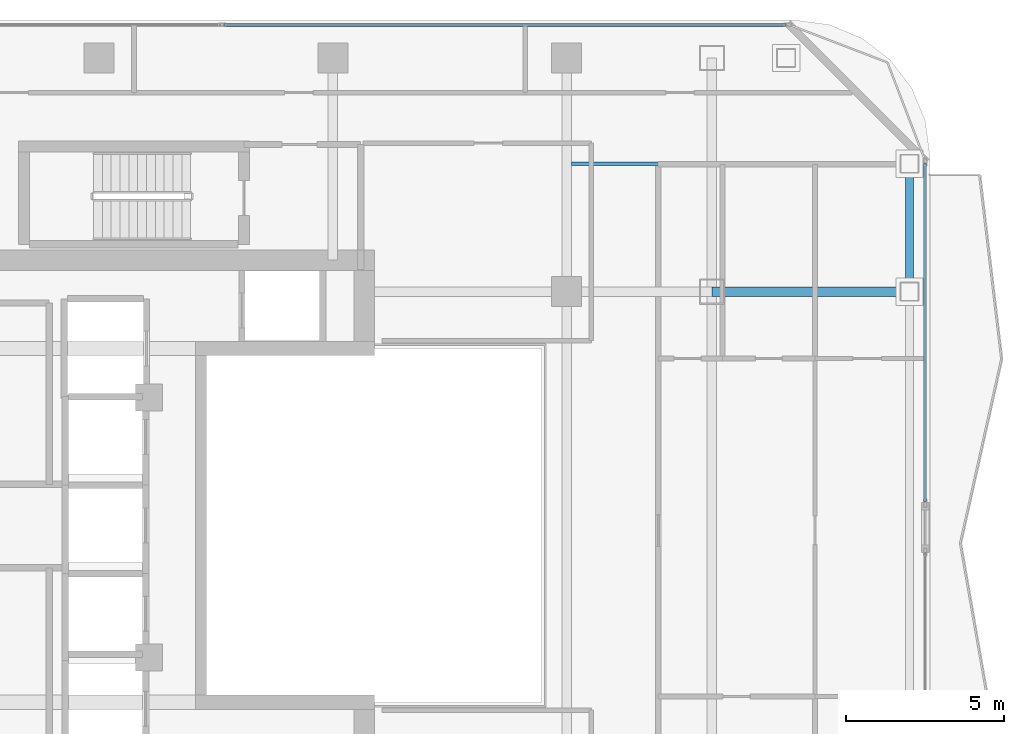
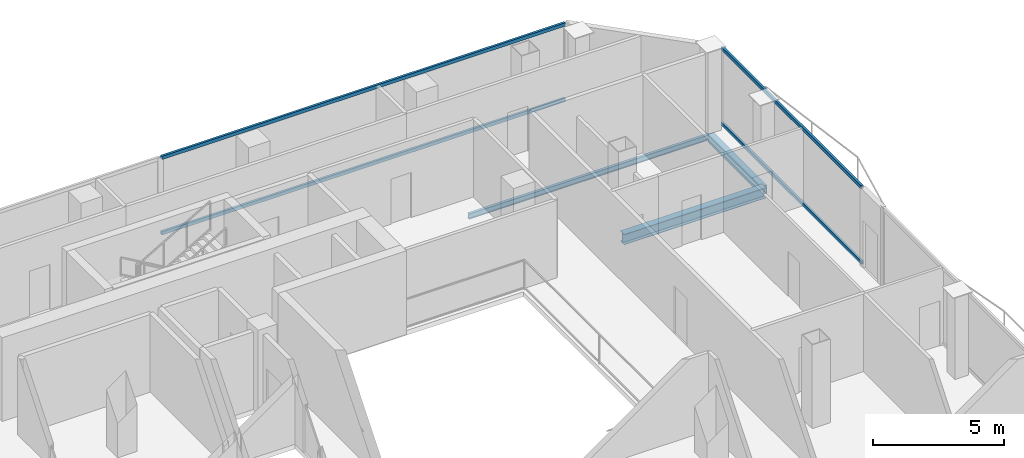
# One storey, part 17 of 26: 4 members, 3 beams, 2 elements without a shape of their own.
"""IFC4 building model written with IfcOpenShell, lengths in metres."""

from ifc_helpers import new_model, si_unit, direction, frame, origin, origin_2d, place, context, subcontext, project, spatial, hollow_rectangle, i_section, extrude, material, layer, layer_set, material_profile, profile_set, type_object, element, aggregate, save


model = new_model("IFC4")

# Units and contexts
model_context = context("Model", 3, precision=1e-05, world=origin(), true_north=direction((0.0, 1.0)))
body_context = subcontext(model_context, "Body", "Model", "MODEL_VIEW")
ifc_project = project(units=[si_unit("LENGTHUNIT", "METRE"), si_unit("AREAUNIT", "SQUARE_METRE"), si_unit("VOLUMEUNIT", "CUBIC_METRE"), si_unit("PLANEANGLEUNIT", "RADIAN"), si_unit("MASSUNIT", "GRAM", prefix="KILO")], contexts=[model_context])

# Site, building, storey
site_placement = place(None, origin())
site = spatial("IfcSite", under=ifc_project, at=site_placement, CompositionType="ELEMENT")
building_placement = place(site_placement, origin())
building = spatial("IfcBuilding", under=site, at=building_placement, Name="Khorvyn Point Tower", CompositionType="ELEMENT")
storey_placement = place(building_placement, frame((0.0, 0.0, 250.800048828125)))
storey = spatial("IfcBuildingStorey", under=building, at=storey_placement, Name="L61", CompositionType="ELEMENT", Elevation=250.800048828125)

# Curtain wall, members
ifc_material_1 = material(Name="Anodised aluminium 6063-T6 and laminated Low-E glass", Category="aluminium")
ifc_layer = layer(ifc_material_1, 0.18994140625)
ifc_layer_set = layer_set([ifc_layer], Name="Stick-Built Acoustic Curtain Wall CW-SYS-03")
curtain_wall_type = type_object("IfcCurtainWallType", Name="Stick-Built Acoustic Curtain Wall CW-SYS-03", PredefinedType="NOTDEFINED", material=ifc_layer_set)
curtain_wall_1_placement = place(storey_placement, origin())
curtain_wall_1 = element("IfcCurtainWall", 1, at=curtain_wall_1_placement, inside=storey, type_object=curtain_wall_type, Name="Curtain Wall", PredefinedType="NOTDEFINED")
ifc_material_2 = material(Name="Anodised aluminium 6063-T6", Category="aluminium")
ifc_material_profile_1 = material_profile(ifc_material_2, hollow_rectangle(XDim=0.10009765625, YDim=0.159912109375, WallThickness=0.00439453125, at=origin_2d()))
ifc_profile_set_1 = profile_set([ifc_material_profile_1], Name="Anodised aluminium 6063-T6 ALU-TRN-100x160")
member_type = type_object("IfcMemberType", Name="Anodised Aluminium 6063-T6 Transom ALU-TRN-100x160", PredefinedType="USERDEFINED", material=ifc_profile_set_1)
member_1_placement = place(storey_placement, frame((3.949951171875, 15.85009765625, 0.050048828125), z_axis=(1.0, 0.0, 0.0), x_axis=(0.0, 1.0, 0.0)))
member_1 = element("IfcMember", 2, at=member_1_placement, type_object=member_type, Name="Transom", ObjectType="TRANSOM", PredefinedType="USERDEFINED", context=body_context, shape_type="SweptSolid", body=[
    extrude(hollow_rectangle(XDim=0.10009765625, YDim=0.159912109375, WallThickness=0.00439453125, at=origin_2d()), origin(), (0.0, 0.0, 1.0), 17.800048828125),
])
member_2_placement = place(storey_placement, frame((3.949951171875, 15.85009765625, 3.570068359375), z_axis=(1.0, 0.0, 0.0), x_axis=(0.0, 1.0, 0.0)))
member_2 = element("IfcMember", 3, at=member_2_placement, type_object=member_type, Name="Transom", ObjectType="TRANSOM", PredefinedType="USERDEFINED", context=body_context, shape_type="SweptSolid", body=[
    extrude(hollow_rectangle(XDim=0.10009765625, YDim=0.159912109375, WallThickness=0.00439453125, at=origin_2d()), origin(), (0.0, 0.0, 1.0), 17.800048828125),
])
aggregate(curtain_wall_1, [member_1, member_2])

curtain_wall_2_placement = place(storey_placement, origin())
curtain_wall_2 = element("IfcCurtainWall", 4, at=curtain_wall_2_placement, inside=storey, type_object=curtain_wall_type, Name="Curtain Wall", PredefinedType="NOTDEFINED")
member_3_placement = place(storey_placement, frame((26.14990234375, 11.449951171875, 0.050048828125), z_axis=(0.0, -1.0, 0.0), x_axis=(1.0, 0.0, 0.0)))
member_3 = element("IfcMember", 5, at=member_3_placement, type_object=member_type, Name="Transom", ObjectType="TRANSOM", PredefinedType="USERDEFINED", context=body_context, shape_type="SweptSolid", body=[
    extrude(hollow_rectangle(XDim=0.10009765625, YDim=0.159912109375, WallThickness=0.00439453125, at=origin_2d()), origin(), (0.0, 0.0, 1.0), 10.697021484375),
])
member_4_placement = place(storey_placement, frame((26.14990234375, 11.449951171875, 3.570068359375), z_axis=(0.0, -1.0, 0.0), x_axis=(1.0, 0.0, 0.0)))
member_4 = element("IfcMember", 6, at=member_4_placement, type_object=member_type, Name="Transom", ObjectType="TRANSOM", PredefinedType="USERDEFINED", context=body_context, shape_type="SweptSolid", body=[
    extrude(hollow_rectangle(XDim=0.10009765625, YDim=0.159912109375, WallThickness=0.00439453125, at=origin_2d()), origin(), (0.0, 0.0, 1.0), 10.697021484375),
])
aggregate(curtain_wall_2, [member_3, member_4])

# Beams
ifc_material_3 = material(Name="Steel S355", Category="steel")
ifc_material_profile_2 = material_profile(ifc_material_3, i_section(OverallWidth=0.125, OverallDepth=0.25, WebThickness=0.006103515625, FlangeThickness=0.009033203125, at=origin_2d()))
ifc_profile_set_2 = profile_set([ifc_material_profile_2], Name="Steel S355 H250x125x6x9")
beam_type_1 = type_object("IfcBeamType", Name="Steel S355 Joist H250x125x6x9", PredefinedType="JOIST", material=ifc_profile_set_2)
beam_1_placement = place(storey_placement, frame((14.949951171875, 11.449951171875, -0.344970703125), z_axis=(1.0, 0.0, 0.0), x_axis=(0.0, 1.0, 0.0)))
element("IfcBeam", 7, at=beam_1_placement, inside=storey, type_object=beam_type_1, Name="Beam", PredefinedType="JOIST", context=body_context, shape_type="SweptSolid", body=[
    extrude(i_section(OverallWidth=0.125, OverallDepth=0.25, WebThickness=0.006103515625, FlangeThickness=0.009033203125, at=origin_2d()), origin(), (0.0, 0.0, 1.0), 10.574951171875),
])
ifc_material_profile_3 = material_profile(ifc_material_3, i_section(OverallWidth=0.300048828125, OverallDepth=0.488037109375, WebThickness=0.010986328125, FlangeThickness=0.01806640625, at=origin_2d()))
ifc_profile_set_3 = profile_set([ifc_material_profile_3], Name="Steel S355 H488x300x11x18")
beam_type_2 = type_object("IfcBeamType", Name="Steel S355 Spandrel H488x300x11x18", PredefinedType="SPANDREL", material=ifc_profile_set_3)
beam_2_placement = place(storey_placement, frame((19.39990234375, 7.39990234375, -0.464111328125), z_axis=(1.0, 0.0, 0.0), x_axis=(0.0, 1.0, 0.0)))
element("IfcBeam", 8, at=beam_2_placement, inside=storey, type_object=beam_type_2, Name="Beam", PredefinedType="SPANDREL", context=body_context, shape_type="SweptSolid", body=[
    extrude(i_section(OverallWidth=0.300048828125, OverallDepth=0.488037109375, WebThickness=0.010986328125, FlangeThickness=0.01806640625, at=origin_2d()), origin(), (0.0, 0.0, 1.0), 6.25),
])
ifc_material_profile_4 = material_profile(ifc_material_3, hollow_rectangle(XDim=0.25, YDim=0.39990234375, WallThickness=0.01611328125, at=origin_2d()))
ifc_profile_set_4 = profile_set([ifc_material_profile_4], Name="Steel S355 RHS400x250x16")
beam_type_3 = type_object("IfcBeamType", Name="Steel S355 Spandrel RHS400x250x16", PredefinedType="SPANDREL", material=ifc_profile_set_4)
beam_3_placement = place(storey_placement, frame((25.64990234375, 7.39990234375, -0.420166015625), z_axis=(0.0, 1.0, 0.0), x_axis=(-1.0, 0.0, 0.0)))
element("IfcBeam", 9, at=beam_3_placement, inside=storey, type_object=beam_type_3, Name="Beam", PredefinedType="SPANDREL", context=body_context, shape_type="SweptSolid", body=[
    extrude(hollow_rectangle(XDim=0.25, YDim=0.39990234375, WallThickness=0.01611328125, at=origin_2d()), origin(), (0.0, 0.0, 1.0), 4.050048828125),
])

save(model, "model.ifc")
